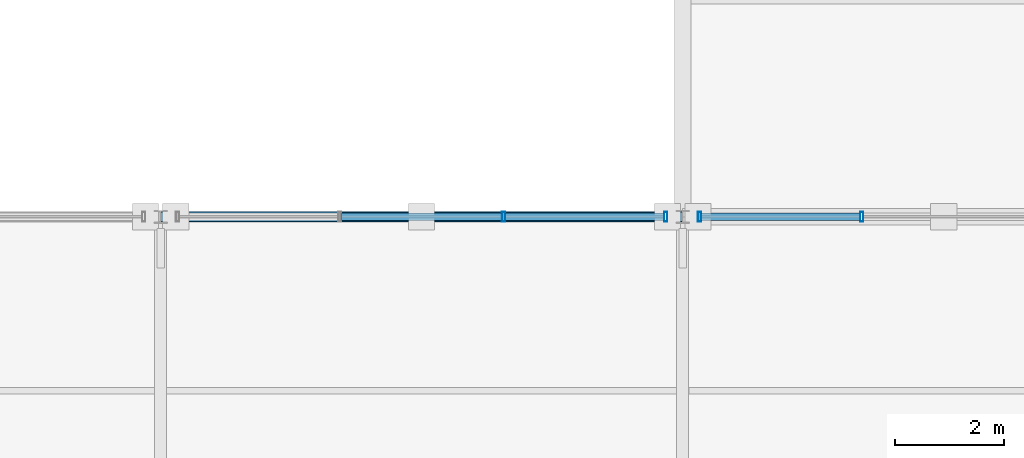
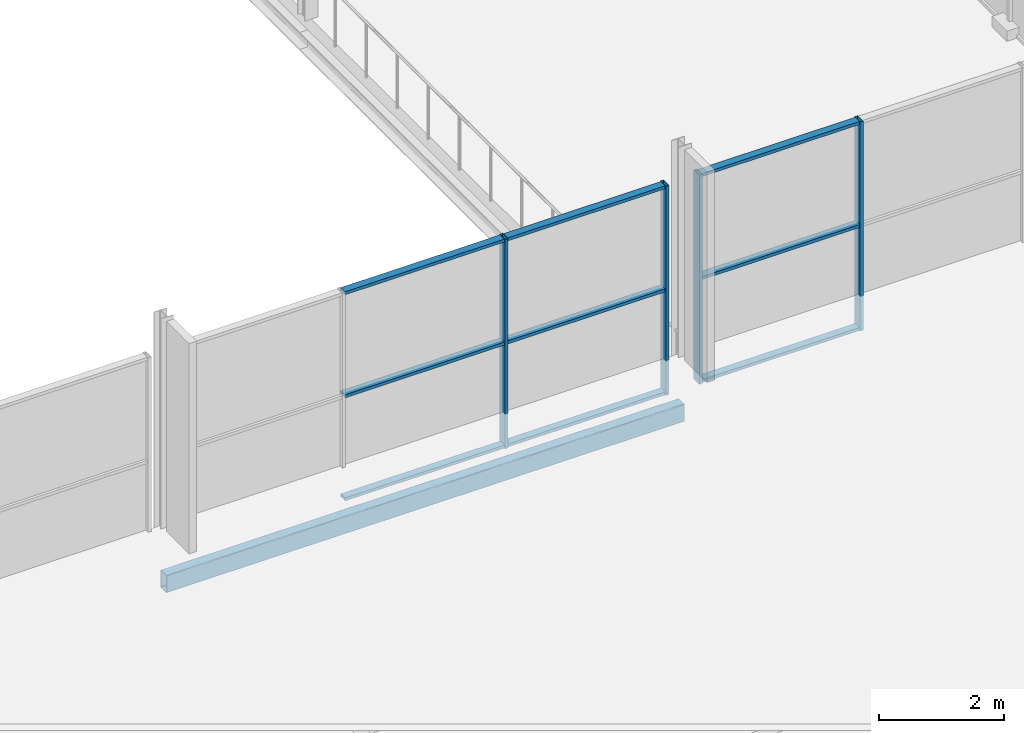
# One storey, part 29 of 159: 13 members, 1 beam, 2 elements without a shape of their own.
"""IFC4 building model written with IfcOpenShell, lengths in metres."""

from ifc_helpers import new_model, si_unit, direction, frame, origin, origin_2d, place, context, subcontext, project, spatial, hollow_rectangle, extrude, material, material_profile, profile_set, type_object, element, aggregate, save


model = new_model("IFC4")

# Units and contexts
model_context = context("Model", 3, precision=1e-05, world=origin(), true_north=direction((0.0, 1.0)))
body_context = subcontext(model_context, "Body", "Model", "MODEL_VIEW")
ifc_project = project(units=[si_unit("LENGTHUNIT", "METRE"), si_unit("AREAUNIT", "SQUARE_METRE"), si_unit("VOLUMEUNIT", "CUBIC_METRE"), si_unit("PLANEANGLEUNIT", "RADIAN"), si_unit("MASSUNIT", "GRAM", prefix="KILO")], contexts=[model_context])

# Site, building, storey
site_placement = place(None, origin())
site = spatial("IfcSite", under=ifc_project, at=site_placement, CompositionType="ELEMENT")
building_placement = place(site_placement, origin())
building = spatial("IfcBuilding", under=site, at=building_placement, Name="Merenkruunu Market Hall", CompositionType="ELEMENT")
storey_placement = place(building_placement, frame((0.0, 0.0, 5.39990234375)))
storey = spatial("IfcBuildingStorey", under=building, at=storey_placement, Name="L01", CompositionType="ELEMENT", Elevation=5.39990234375)

# Curtain wall, members
ifc_material_1 = material(Name="Powder-coated aluminium", Category="aluminium")
curtain_wall_type = type_object("IfcCurtainWallType", Name="Glazed Curtain Wall CW09", PredefinedType="USERDEFINED", material=ifc_material_1)
curtain_wall_1_placement = place(storey_placement, origin())
curtain_wall_1 = element("IfcCurtainWall", 1, at=curtain_wall_1_placement, inside=storey, type_object=curtain_wall_type, Name="CW-L01-CWM02-032", ObjectType="GLAZED_FACADE", PredefinedType="USERDEFINED")
ifc_material_profile_1 = material_profile(ifc_material_1, hollow_rectangle(XDim=0.06005859375, YDim=0.179931640625, WallThickness=0.00390625, at=origin_2d()), Name="ALU 60x180x4")
ifc_profile_set_1 = profile_set([ifc_material_profile_1], Name="Powder-coated aluminium")
member_type_1 = type_object("IfcMemberType", Name="Curtain Wall Mullion CWM02", PredefinedType="MULLION", material=ifc_profile_set_1)
member_1_placement = place(storey_placement, frame((47.68994140625, 15.60009765625, 0.0), z_axis=(0.0, 0.0, 1.0), x_axis=(-1.0, 0.0, 0.0)))
member_1 = element("IfcMember", 2, at=member_1_placement, type_object=member_type_1, Name="CW09 mullion 1", PredefinedType="MULLION", context=body_context, shape_type="SweptSolid", body=[
    extrude(hollow_rectangle(XDim=0.06005859375, YDim=0.179931640625, WallThickness=0.00390625, at=origin_2d()), origin(), (0.0, 0.0, 1.0), 4.10009765625),
])
member_2_placement = place(storey_placement, frame((44.706787109375, 15.60009765625, 0.0), z_axis=(0.0, 0.0, 1.0), x_axis=(-1.0, 0.0, 0.0)))
member_2 = element("IfcMember", 3, at=member_2_placement, type_object=member_type_1, Name="CW09 mullion 2", PredefinedType="MULLION", context=body_context, shape_type="SweptSolid", body=[
    extrude(hollow_rectangle(XDim=0.06005859375, YDim=0.179931640625, WallThickness=0.00390625, at=origin_2d()), origin(), (0.0, 0.0, 1.0), 4.10009765625),
])

curtain_wall_2_placement = place(storey_placement, origin())
curtain_wall_2 = element("IfcCurtainWall", 4, at=curtain_wall_2_placement, inside=storey, type_object=curtain_wall_type, Name="CW-L01-CWM02-035", ObjectType="GLAZED_FACADE", PredefinedType="USERDEFINED")
member_3_placement = place(storey_placement, frame((51.293212890625, 15.60009765625, 0.0), z_axis=(0.0, 0.0, 1.0), x_axis=(-1.0, 0.0, 0.0)))
member_3 = element("IfcMember", 5, at=member_3_placement, type_object=member_type_1, Name="CW09 mullion 3", PredefinedType="MULLION", context=body_context, shape_type="SweptSolid", body=[
    extrude(hollow_rectangle(XDim=0.06005859375, YDim=0.179931640625, WallThickness=0.00390625, at=origin_2d()), origin(), (0.0, 0.0, 1.0), 4.10009765625),
])
member_4_placement = place(storey_placement, frame((48.31005859375, 15.60009765625, 0.0), z_axis=(0.0, 0.0, 1.0), x_axis=(-1.0, 0.0, 0.0)))
member_4 = element("IfcMember", 6, at=member_4_placement, type_object=member_type_1, Name="CW09 mullion 4", PredefinedType="MULLION", context=body_context, shape_type="SweptSolid", body=[
    extrude(hollow_rectangle(XDim=0.06005859375, YDim=0.179931640625, WallThickness=0.00390625, at=origin_2d()), origin(), (0.0, 0.0, 1.0), 4.10009765625),
])

# Member
ifc_material_profile_2 = material_profile(ifc_material_1, hollow_rectangle(XDim=0.06005859375, YDim=0.139892578125, WallThickness=0.00390625, at=origin_2d()), Name="ALU 60x140x4")
ifc_profile_set_2 = profile_set([ifc_material_profile_2], Name="Powder-coated aluminium")
member_type_2 = type_object("IfcMemberType", Name="Curtain Wall Transom CWT02", PredefinedType="USERDEFINED", material=ifc_profile_set_2)
member_5_placement = place(storey_placement, frame((47.659912109375, 15.60009765625, 0.030029296875), z_axis=(-1.0, 0.0, 0.0), x_axis=(0.0, 0.0, 1.0)))
member_5 = element("IfcMember", 7, at=member_5_placement, type_object=member_type_2, Name="CW09 transom 1.1", ObjectType="TRANSOM", PredefinedType="USERDEFINED", context=body_context, shape_type="SweptSolid", body=[
    extrude(hollow_rectangle(XDim=0.06005859375, YDim=0.139892578125, WallThickness=0.00390625, at=origin_2d()), origin(), (0.0, 0.0, 1.0), 2.92333984375),
])

member_6_placement = place(storey_placement, frame((47.659912109375, 15.60009765625, 2.050048828125), z_axis=(-1.0, 0.0, 0.0), x_axis=(0.0, 0.0, 1.0)))
member_6 = element("IfcMember", 8, at=member_6_placement, type_object=member_type_2, Name="CW09 transom 1.2", ObjectType="TRANSOM", PredefinedType="USERDEFINED", context=body_context, shape_type="SweptSolid", body=[
    extrude(hollow_rectangle(XDim=0.06005859375, YDim=0.139892578125, WallThickness=0.00390625, at=origin_2d()), origin(), (0.0, 0.0, 1.0), 2.92333984375),
])

member_7_placement = place(storey_placement, frame((47.659912109375, 15.60009765625, 4.070068359375), z_axis=(-1.0, 0.0, 0.0), x_axis=(0.0, 0.0, 1.0)))
member_7 = element("IfcMember", 9, at=member_7_placement, type_object=member_type_2, Name="CW09 transom 1.3", ObjectType="TRANSOM", PredefinedType="USERDEFINED", context=body_context, shape_type="SweptSolid", body=[
    extrude(hollow_rectangle(XDim=0.06005859375, YDim=0.139892578125, WallThickness=0.00390625, at=origin_2d()), origin(), (0.0, 0.0, 1.0), 2.92333984375),
])

member_8_placement = place(storey_placement, frame((44.6767578125, 15.60009765625, 0.030029296875), z_axis=(-1.0, 0.0, 0.0), x_axis=(0.0, 0.0, 1.0)))
member_8 = element("IfcMember", 10, at=member_8_placement, type_object=member_type_2, Name="CW09 transom 2.1", ObjectType="TRANSOM", PredefinedType="USERDEFINED", context=body_context, shape_type="SweptSolid", body=[
    extrude(hollow_rectangle(XDim=0.06005859375, YDim=0.139892578125, WallThickness=0.00390625, at=origin_2d()), origin(), (0.0, 0.0, 1.0), 2.953369140625),
])

member_9_placement = place(storey_placement, frame((44.6767578125, 15.60009765625, 2.050048828125), z_axis=(-1.0, 0.0, 0.0), x_axis=(0.0, 0.0, 1.0)))
member_9 = element("IfcMember", 11, at=member_9_placement, type_object=member_type_2, Name="CW09 transom 2.2", ObjectType="TRANSOM", PredefinedType="USERDEFINED", context=body_context, shape_type="SweptSolid", body=[
    extrude(hollow_rectangle(XDim=0.06005859375, YDim=0.139892578125, WallThickness=0.00390625, at=origin_2d()), origin(), (0.0, 0.0, 1.0), 2.953369140625),
])

member_10_placement = place(storey_placement, frame((44.6767578125, 15.60009765625, 4.070068359375), z_axis=(-1.0, 0.0, 0.0), x_axis=(0.0, 0.0, 1.0)))
member_10 = element("IfcMember", 12, at=member_10_placement, type_object=member_type_2, Name="CW09 transom 2.3", ObjectType="TRANSOM", PredefinedType="USERDEFINED", context=body_context, shape_type="SweptSolid", body=[
    extrude(hollow_rectangle(XDim=0.06005859375, YDim=0.139892578125, WallThickness=0.00390625, at=origin_2d()), origin(), (0.0, 0.0, 1.0), 2.953369140625),
])

aggregate(curtain_wall_1, [member_1, member_2, member_5, member_6, member_7, member_8, member_9, member_10])

member_11_placement = place(storey_placement, frame((51.263427734375, 15.60009765625, 0.030029296875), z_axis=(-1.0, 0.0, 0.0), x_axis=(0.0, 0.0, 1.0)))
member_11 = element("IfcMember", 13, at=member_11_placement, type_object=member_type_2, Name="CW09 transom 3.1", ObjectType="TRANSOM", PredefinedType="USERDEFINED", context=body_context, shape_type="SweptSolid", body=[
    extrude(hollow_rectangle(XDim=0.06005859375, YDim=0.139892578125, WallThickness=0.00390625, at=origin_2d()), origin(), (0.0, 0.0, 1.0), 2.92333984375),
])

member_12_placement = place(storey_placement, frame((51.263427734375, 15.60009765625, 2.050048828125), z_axis=(-1.0, 0.0, 0.0), x_axis=(0.0, 0.0, 1.0)))
member_12 = element("IfcMember", 14, at=member_12_placement, type_object=member_type_2, Name="CW09 transom 3.2", ObjectType="TRANSOM", PredefinedType="USERDEFINED", context=body_context, shape_type="SweptSolid", body=[
    extrude(hollow_rectangle(XDim=0.06005859375, YDim=0.139892578125, WallThickness=0.00390625, at=origin_2d()), origin(), (0.0, 0.0, 1.0), 2.92333984375),
])

member_13_placement = place(storey_placement, frame((51.263427734375, 15.60009765625, 4.070068359375), z_axis=(-1.0, 0.0, 0.0), x_axis=(0.0, 0.0, 1.0)))
member_13 = element("IfcMember", 15, at=member_13_placement, type_object=member_type_2, Name="CW09 transom 3.3", ObjectType="TRANSOM", PredefinedType="USERDEFINED", context=body_context, shape_type="SweptSolid", body=[
    extrude(hollow_rectangle(XDim=0.06005859375, YDim=0.139892578125, WallThickness=0.00390625, at=origin_2d()), origin(), (0.0, 0.0, 1.0), 2.92333984375),
])

aggregate(curtain_wall_2, [member_3, member_4, member_11, member_12, member_13])

# Beam
ifc_material_2 = material(Name="Steel S355J2", Category="steel")
ifc_material_profile_3 = material_profile(ifc_material_2, hollow_rectangle(XDim=0.199951171875, YDim=0.35009765625, WallThickness=0.012451171875, InnerFilletRadius=0.012451171875, OuterFilletRadius=0.02490234375, at=origin_2d()), Name="RHS 350x200x12.5")
ifc_profile_set_3 = profile_set([ifc_material_profile_3], Name="Steel S355J2")
beam_type = type_object("IfcBeamType", Name="Perimeter Spandrel Beam SP02", PredefinedType="SPANDREL", material=ifc_profile_set_3)
beam_placement = place(storey_placement, frame((38.39990234375, 15.60009765625, -0.454833984375), z_axis=(1.0, 0.0, 0.0), x_axis=(0.0, 1.0, 0.0)))
element("IfcBeam", 16, at=beam_placement, inside=storey, type_object=beam_type, Name="BM-L01-SP02-1254", PredefinedType="SPANDREL", context=body_context, shape_type="SweptSolid", body=[
    extrude(hollow_rectangle(XDim=0.199951171875, YDim=0.35009765625, WallThickness=0.012451171875, InnerFilletRadius=0.012451171875, OuterFilletRadius=0.02490234375, at=origin_2d()), origin(), (0.0, 0.0, 1.0), 9.60009765625),
])

save(model, "model.ifc")
